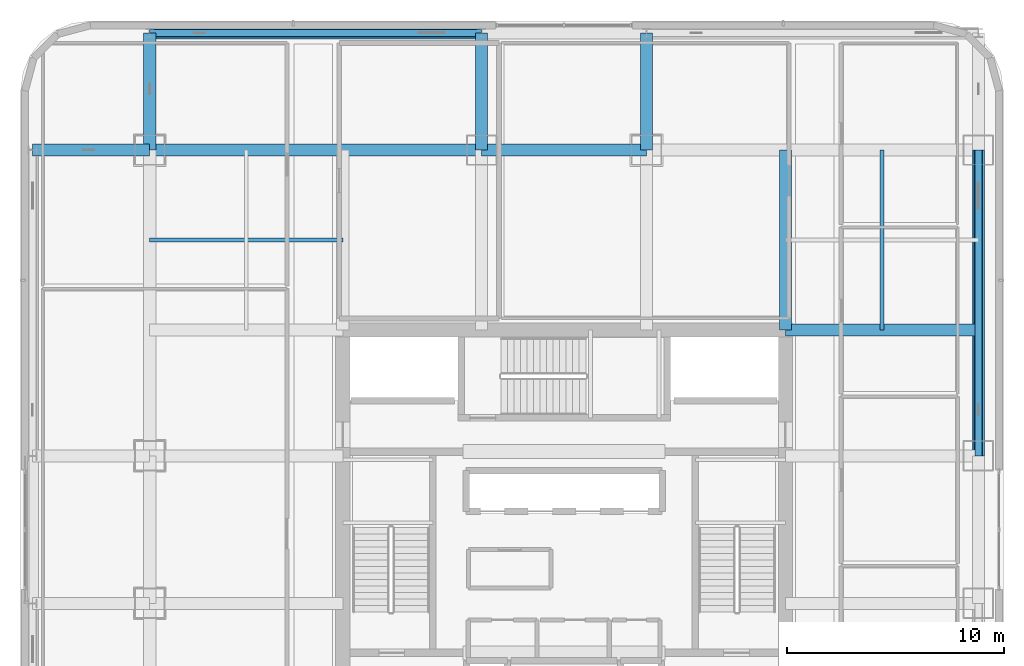
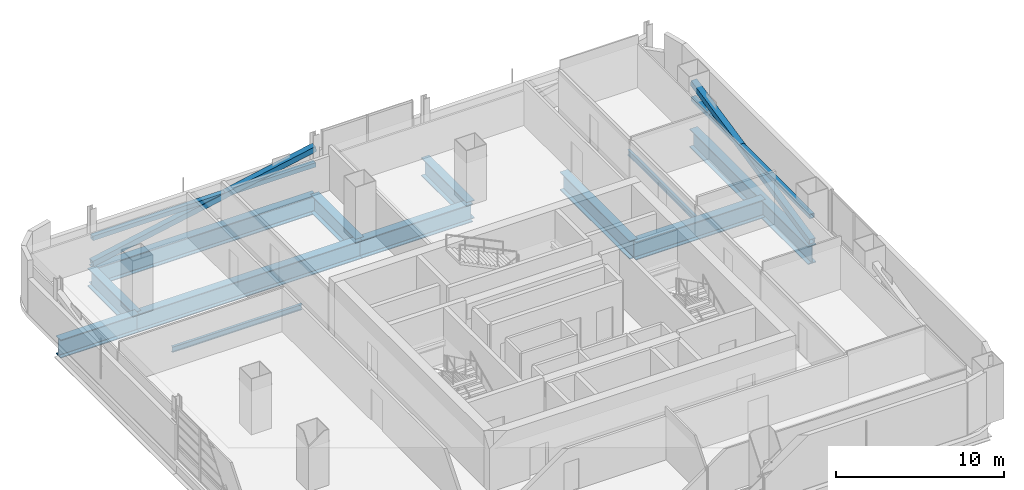
# One storey, part 7 of 32: 12 beams, 4 members.
"""IFC4 building model written with IfcOpenShell, lengths in metres."""

from ifc_helpers import new_model, si_unit, direction, frame, origin, origin_2d, place, context, subcontext, project, spatial, hollow_rectangle, i_section, extrude, material, material_profile, profile_set, type_object, element, save


model = new_model("IFC4")

# Units and contexts
model_context = context("Model", 3, precision=1e-05, world=origin(), true_north=direction((0.0, 1.0)))
body_context = subcontext(model_context, "Body", "Model", "MODEL_VIEW")
ifc_project = project(units=[si_unit("LENGTHUNIT", "METRE"), si_unit("AREAUNIT", "SQUARE_METRE"), si_unit("VOLUMEUNIT", "CUBIC_METRE"), si_unit("PLANEANGLEUNIT", "RADIAN"), si_unit("MASSUNIT", "GRAM", prefix="KILO")], contexts=[model_context])

# Site, building, storey
site_placement = place(None, origin())
site = spatial("IfcSite", under=ifc_project, at=site_placement, CompositionType="ELEMENT")
building_placement = place(site_placement, origin())
building = spatial("IfcBuilding", under=site, at=building_placement, Name="Punatoya Terracotta Tower", CompositionType="ELEMENT")
storey_placement = place(building_placement, frame((0.0, 0.0, 139.800048828125)))
storey = spatial("IfcBuildingStorey", under=building, at=storey_placement, Name="L32", CompositionType="ELEMENT", Elevation=139.800048828125)

# Beams
ifc_material_1 = material(Name="Steel S355", Category="steel")
ifc_material_profile_1 = material_profile(ifc_material_1, i_section(OverallWidth=0.179931640625, OverallDepth=0.39990234375, WebThickness=0.008544921875, FlangeThickness=0.013427734375, FilletRadius=0.01806640625, at=origin_2d()))
ifc_profile_set_1 = profile_set([ifc_material_profile_1], Name="Steel S355")
beam_type_1 = type_object("IfcBeamType", Name="BM-SEC-400", PredefinedType="JOIST", material=ifc_profile_set_1)
beam_1_placement = place(storey_placement, frame((-19.10009765625, 13.35009765625, -0.47998046875), z_axis=(1.0, 0.0, 0.0), x_axis=(0.0, 1.0, 0.0)))
element("IfcBeam", 1, at=beam_1_placement, inside=storey, type_object=beam_type_1, Name="BM-L32-SJN-1", PredefinedType="JOIST", context=body_context, shape_type="SweptSolid", body=[
    extrude(i_section(OverallWidth=0.179931640625, OverallDepth=0.39990234375, WebThickness=0.008544921875, FlangeThickness=0.013427734375, FilletRadius=0.01806640625, at=origin_2d()), origin(), (0.0, 0.0, 1.0), 8.900146484375),
])
beam_2_placement = place(storey_placement, frame((14.64990234375, 9.199951171875, -0.47998046875), z_axis=(0.0, 1.0, 0.0), x_axis=(-1.0, 0.0, 0.0)))
element("IfcBeam", 2, at=beam_2_placement, inside=storey, type_object=beam_type_1, Name="BM-L32-SJE-2", PredefinedType="JOIST", context=body_context, shape_type="SweptSolid", body=[
    extrude(i_section(OverallWidth=0.179931640625, OverallDepth=0.39990234375, WebThickness=0.008544921875, FlangeThickness=0.013427734375, FilletRadius=0.01806640625, at=origin_2d()), origin(), (0.0, 0.0, 1.0), 8.300048828125),
])
ifc_material_2 = material(Name="Steel S460", Category="steel")
ifc_material_profile_2 = material_profile(ifc_material_2, i_section(OverallWidth=0.56005859375, OverallDepth=1.320068359375, WebThickness=0.035888671875, FlangeThickness=0.054931640625, FilletRadius=0.01806640625, at=origin_2d()))
ifc_profile_set_2 = profile_set([ifc_material_profile_2], Name="Steel S460")
beam_type_2 = type_object("IfcBeamType", Name="BM-TG-BLK", PredefinedType="BEAM", material=ifc_profile_set_2)
beam_3_placement = place(storey_placement, frame((-19.10009765625, 17.5, -0.93994140625), z_axis=(1.0, 0.0, 0.0), x_axis=(0.0, 1.0, 0.0)))
element("IfcBeam", 3, at=beam_3_placement, inside=storey, type_object=beam_type_2, Name="BM-L32-RG-N1", PredefinedType="BEAM", context=body_context, shape_type="SweptSolid", body=[
    extrude(i_section(OverallWidth=0.56005859375, OverallDepth=1.320068359375, WebThickness=0.035888671875, FlangeThickness=0.054931640625, FilletRadius=0.01806640625, at=origin_2d()), origin(), (0.0, 0.0, 1.0), 15.300048828125),
])
beam_4_placement = place(storey_placement, frame((-3.800048828125, 17.5, -0.93994140625), z_axis=(1.0, 0.0, 0.0), x_axis=(0.0, 1.0, 0.0)))
element("IfcBeam", 4, at=beam_4_placement, inside=storey, type_object=beam_type_2, Name="BM-L32-RG-N2", PredefinedType="BEAM", context=body_context, shape_type="SweptSolid", body=[
    extrude(i_section(OverallWidth=0.56005859375, OverallDepth=1.320068359375, WebThickness=0.035888671875, FlangeThickness=0.054931640625, FilletRadius=0.01806640625, at=origin_2d()), origin(), (0.0, 0.0, 1.0), 7.60009765625),
])
beam_5_placement = place(storey_placement, frame((19.10009765625, 3.39990234375, -0.93994140625), z_axis=(0.0, 1.0, 0.0), x_axis=(-1.0, 0.0, 0.0)))
element("IfcBeam", 5, at=beam_5_placement, inside=storey, type_object=beam_type_2, Name="BM-L32-RG-E3", PredefinedType="BEAM", context=body_context, shape_type="SweptSolid", body=[
    extrude(i_section(OverallWidth=0.56005859375, OverallDepth=1.320068359375, WebThickness=0.035888671875, FlangeThickness=0.054931640625, FilletRadius=0.01806640625, at=origin_2d()), origin(), (0.0, 0.0, 1.0), 14.10009765625),
])
beam_6_placement = place(storey_placement, frame((10.199951171875, 9.199951171875, -0.93994140625), z_axis=(1.0, 0.0, 0.0), x_axis=(0.0, 1.0, 0.0)))
element("IfcBeam", 6, at=beam_6_placement, inside=storey, type_object=beam_type_2, Name="BM-L32-PR-EN", PredefinedType="BEAM", context=body_context, shape_type="SweptSolid", body=[
    extrude(i_section(OverallWidth=0.56005859375, OverallDepth=1.320068359375, WebThickness=0.035888671875, FlangeThickness=0.054931640625, FilletRadius=0.01806640625, at=origin_2d()), origin(), (0.0, 0.0, 1.0), 8.900146484375),
])
beam_7_placement = place(storey_placement, frame((10.199951171875, 9.199951171875, -0.93994140625), z_axis=(0.0, 1.0, 0.0), x_axis=(-1.0, 0.0, 0.0)))
element("IfcBeam", 7, at=beam_7_placement, inside=storey, type_object=beam_type_2, Name="BM-L32-PR-N4", PredefinedType="BEAM", context=body_context, shape_type="SweptSolid", body=[
    extrude(i_section(OverallWidth=0.56005859375, OverallDepth=1.320068359375, WebThickness=0.035888671875, FlangeThickness=0.054931640625, FilletRadius=0.01806640625, at=origin_2d()), origin(), (0.0, 0.0, 1.0), 8.300048828125),
])
for number, where, z_axis, x_axis, name in (
    (8, (-24.5, 17.5, -0.93994140625), (1.0, 0.0, 0.0), (0.0, 1.0, 0.0), "BM-L32-CANT-W4"),
    (9, (-19.10009765625, 17.5, -0.93994140625), (0.0, 1.0, 0.0), (-1.0, 0.0, 0.0), "BM-L32-CANT-N1"),
    (10, (-3.800048828125, 17.5, -0.93994140625), (0.0, 1.0, 0.0), (-1.0, 0.0, 0.0), "BM-L32-CANT-N2"),
    (11, (3.800048828125, 17.5, -0.93994140625), (0.0, 1.0, 0.0), (-1.0, 0.0, 0.0), "BM-L32-CANT-N3"),
):
    element("IfcBeam", number, at=place(storey_placement, frame(where, z_axis=z_axis, x_axis=x_axis)), inside=storey, type_object=beam_type_2, Name=name, PredefinedType="BEAM", context=body_context, shape_type="SweptSolid", body=[
        extrude(i_section(OverallWidth=0.56005859375, OverallDepth=1.320068359375, WebThickness=0.035888671875, FlangeThickness=0.054931640625, FilletRadius=0.01806640625, at=origin_2d()), origin(), (0.0, 0.0, 1.0), 5.39990234375),
    ])
beam_8_placement = place(storey_placement, frame((-19.10009765625, 22.89990234375, -0.93994140625), z_axis=(1.0, 0.0, 0.0), x_axis=(0.0, 1.0, 0.0)))
element("IfcBeam", 12, at=beam_8_placement, inside=storey, type_object=beam_type_2, Name="BM-L32-PER-N1", PredefinedType="BEAM", context=body_context, shape_type="SweptSolid", body=[
    extrude(i_section(OverallWidth=0.56005859375, OverallDepth=1.320068359375, WebThickness=0.035888671875, FlangeThickness=0.054931640625, FilletRadius=0.01806640625, at=origin_2d()), origin(), (0.0, 0.0, 1.0), 15.300048828125),
])

# Members
ifc_material_profile_3 = material_profile(ifc_material_2, hollow_rectangle(XDim=0.320068359375, YDim=0.320068359375, WallThickness=0.01806640625, at=origin_2d()))
ifc_profile_set_3 = profile_set([ifc_material_profile_3], Name="Steel S460")
member_type_1 = type_object("IfcMemberType", Name="MEM-CHD-320", PredefinedType="CHORD", material=ifc_profile_set_3)
member_1_placement = place(storey_placement, frame((-19.10009765625, 22.89990234375, 1.849853515625), z_axis=(1.0, 0.0, 0.0), x_axis=(0.0, 1.0, 0.0)))
element("IfcMember", 13, at=member_1_placement, inside=storey, type_object=member_type_1, Name="L32 Exoskeleton Belt Truss Tie Chord N1", PredefinedType="CHORD", context=body_context, shape_type="SweptSolid", body=[
    extrude(hollow_rectangle(XDim=0.320068359375, YDim=0.320068359375, WallThickness=0.01806640625, at=origin_2d()), origin(), (0.0, 0.0, 1.0), 15.300048828125),
])
member_2_placement = place(storey_placement, frame((19.10009765625, 3.39990234375, 1.849853515625), z_axis=(0.0, 1.0, 0.0), x_axis=(-1.0, 0.0, 0.0)))
element("IfcMember", 14, at=member_2_placement, inside=storey, type_object=member_type_1, Name="L32 Exoskeleton Belt Truss Tie Chord E3", PredefinedType="CHORD", context=body_context, shape_type="SweptSolid", body=[
    extrude(hollow_rectangle(XDim=0.320068359375, YDim=0.320068359375, WallThickness=0.01806640625, at=origin_2d()), origin(), (0.0, 0.0, 1.0), 14.10009765625),
])
ifc_material_profile_4 = material_profile(ifc_material_2, hollow_rectangle(XDim=0.39990234375, YDim=0.39990234375, WallThickness=0.02197265625, at=origin_2d()))
ifc_profile_set_4 = profile_set([ifc_material_profile_4], Name="Steel S460")
member_type_2 = type_object("IfcMemberType", Name="MEM-EXO-400", PredefinedType="BRACE", material=ifc_profile_set_4)
member_3_placement = place(storey_placement, frame((-19.10009765625, 22.89990234375, 0.02001953125), z_axis=(0.981192463394, 0.0, 0.193031991594), x_axis=(0.0, 1.0, 0.0)))
element("IfcMember", 15, at=member_3_placement, inside=storey, type_object=member_type_2, Name="L32 Exoskeleton Belt Brace N1", PredefinedType="BRACE", context=body_context, shape_type="SweptSolid", body=[
    extrude(hollow_rectangle(XDim=0.39990234375, YDim=0.39990234375, WallThickness=0.02197265625, at=origin_2d()), origin(), (0.0, 0.0, 1.0), 15.59326171875),
])
member_4_placement = place(storey_placement, frame((19.10009765625, 3.39990234375, 0.02001953125), z_axis=(0.0, 0.977964679292, 0.208770414707), x_axis=(-1.0, 0.0, 0.0)))
element("IfcMember", 16, at=member_4_placement, inside=storey, type_object=member_type_2, Name="L32 Exoskeleton Belt Brace E3", PredefinedType="BRACE", context=body_context, shape_type="SweptSolid", body=[
    extrude(hollow_rectangle(XDim=0.39990234375, YDim=0.39990234375, WallThickness=0.02197265625, at=origin_2d()), origin(), (0.0, 0.0, 1.0), 14.417724609375),
])

save(model, "model.ifc")
